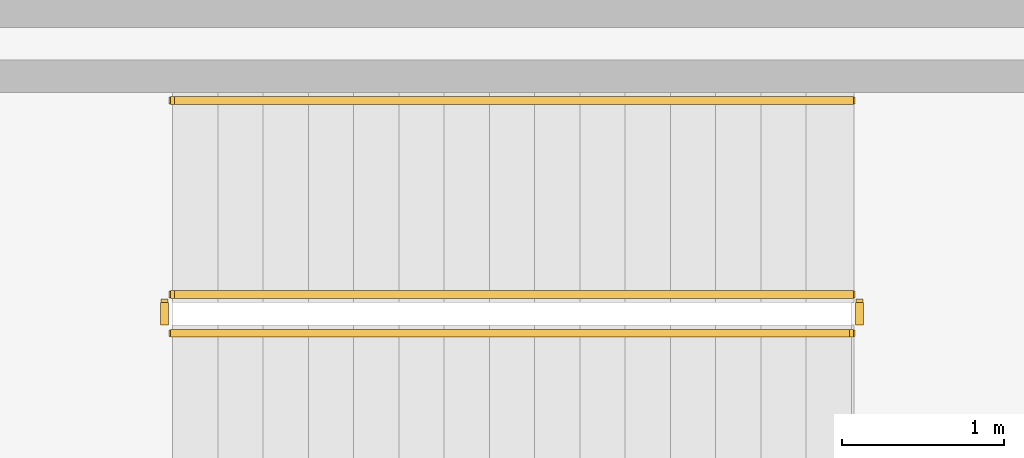
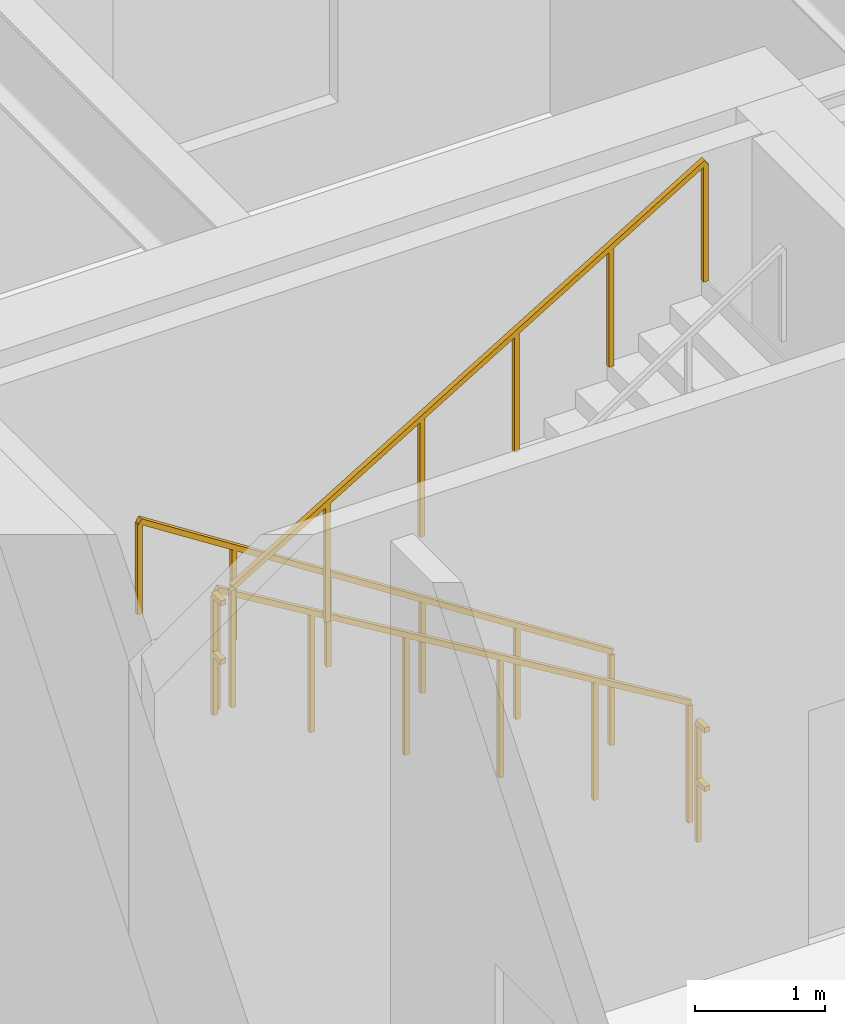
# One storey, part 19 of 20: 5 railings.
"""IFC4 building model written with IfcOpenShell, lengths in metres."""

from ifc_helpers import new_model, si_unit, derived_unit, direction, frame, origin, origin_2d, place, context, subcontext, project, spatial, rectangle, extrude, material, type_object, element, save


model = new_model("IFC4")

# Units and contexts
model_context = context("Model", 3, precision=1e-05, world=origin(), true_north=direction((0.0, 1.0)))
body_context = subcontext(model_context, "Body", "Model", "MODEL_VIEW")
ifc_project = project(units=[si_unit("LENGTHUNIT", "METRE"), si_unit("AREAUNIT", "SQUARE_METRE"), si_unit("VOLUMEUNIT", "CUBIC_METRE"), si_unit("PLANEANGLEUNIT", "RADIAN"), si_unit("MASSUNIT", "GRAM", prefix="KILO"), si_unit("THERMODYNAMICTEMPERATUREUNIT", "KELVIN"), si_unit("POWERUNIT", "WATT"), derived_unit("THERMALTRANSMITTANCEUNIT", [(si_unit("POWERUNIT", "WATT"), 1), (si_unit("AREAUNIT", "SQUARE_METRE"), -1), (si_unit("THERMODYNAMICTEMPERATUREUNIT", "KELVIN"), -1)])], contexts=[model_context])

# Site, building, storey
site_placement = place(None, origin())
site = spatial("IfcSite", under=ifc_project, at=site_placement, CompositionType="ELEMENT")
building_placement = place(site_placement, origin())
building = spatial("IfcBuilding", under=site, at=building_placement, Name="Zahravan Archway Hotel and Residences", CompositionType="ELEMENT")
storey_placement = place(building_placement, frame((0.0, 0.0, 16.199951171875)))
storey = spatial("IfcBuildingStorey", under=building, at=storey_placement, Name="L03", CompositionType="ELEMENT", Elevation=16.199951171875)

# Railings
ifc_material_1 = material(Name="Painted Tubular Steel", Category="steel")
railing_type_1 = type_object("IfcRailingType", Name="RL-STG-1150", PredefinedType="GUARDRAIL", material=ifc_material_1)
railing_1_placement = place(storey_placement, frame((9.72998046875, 37.64990234375, 0.168701171875)))
element("IfcRailing", 1, at=railing_1_placement, inside=storey, type_object=railing_type_1, Name="L03 ST-B2 stair guard 1", PredefinedType="GUARDRAIL", context=body_context, shape_type="SweptSolid", body=[
    extrude(rectangle(XDim=0.048095703125, YDim=0.048095703125, at=origin_2d()), frame((0.0, 0.0, 1.1259765625), z_axis=(-0.856476492594, 0.0, 0.516186030065), x_axis=(0.0, -1.0, 0.0)), (0.0, 0.0, 1.0), 4.90380859375),
    extrude(rectangle(XDim=0.0419921875, YDim=0.0419921875, at=origin_2d()), origin(), (0.0, 0.0, 1.0), 1.101806640625),
    extrude(rectangle(XDim=0.0419921875, YDim=0.0419921875, at=origin_2d()), frame((-0.840087890625, 0.0, 0.50634765625)), (0.0, 0.0, 1.0), 1.101806640625),
    extrude(rectangle(XDim=0.0419921875, YDim=0.0419921875, at=origin_2d()), frame((-1.679931640625, 0.0, 1.012451171875)), (0.0, 0.0, 1.0), 1.101806640625),
    extrude(rectangle(XDim=0.0419921875, YDim=0.0419921875, at=origin_2d()), frame((-2.52001953125, 0.0, 1.518798828125)), (0.0, 0.0, 1.0), 1.101806640625),
    extrude(rectangle(XDim=0.0419921875, YDim=0.0419921875, at=origin_2d()), frame((-3.35986328125, 0.0, 2.02490234375)), (0.0, 0.0, 1.0), 1.101806640625),
    extrude(rectangle(XDim=0.0419921875, YDim=0.0419921875, at=origin_2d()), frame((-4.199951171875, 0.0, 2.53125)), (0.0, 0.0, 1.0), 1.101806640625),
])
railing_2_placement = place(storey_placement, frame((5.47998046875, 37.60009765625, 2.699951171875)))
element("IfcRailing", 2, at=railing_2_placement, inside=storey, type_object=railing_type_1, Name="L03 ST-B2 stair guard 2", PredefinedType="GUARDRAIL", context=body_context, shape_type="SweptSolid", body=[
    extrude(rectangle(XDim=0.048095703125, YDim=0.048095703125, at=origin_2d()), frame((0.0, 0.0, 1.1259765625), z_axis=(0.0, -1.0, 0.0), x_axis=(1.0, 0.0, 0.0)), (0.0, 0.0, 1.0), 0.14013671875),
    extrude(rectangle(XDim=0.048095703125, YDim=0.048095703125, at=origin_2d()), frame((0.0, 0.0, 0.574951171875), z_axis=(0.0, -1.0, 0.0), x_axis=(1.0, 0.0, 0.0)), (0.0, 0.0, 1.0), 0.14013671875),
    extrude(rectangle(XDim=0.0419921875, YDim=0.0419921875, at=origin_2d()), origin(), (0.0, 0.0, 1.0), 1.101806640625),
])
railing_3_placement = place(storey_placement, frame((5.530029296875, 37.409912109375, 2.868896484375)))
element("IfcRailing", 3, at=railing_3_placement, inside=storey, type_object=railing_type_1, Name="L03 ST-B2 stair guard 3", PredefinedType="GUARDRAIL", context=body_context, shape_type="SweptSolid", body=[
    extrude(rectangle(XDim=0.048095703125, YDim=0.048095703125, at=origin_2d()), frame((0.0, 0.0, 1.1259765625), z_axis=(0.856476492594, 0.0, 0.516186030065), x_axis=(0.0, 1.0, 0.0)), (0.0, 0.0, 1.0), 4.90380859375),
    extrude(rectangle(XDim=0.0419921875, YDim=0.0419921875, at=origin_2d()), origin(), (0.0, 0.0, 1.0), 1.101806640625),
    extrude(rectangle(XDim=0.0419921875, YDim=0.0419921875, at=origin_2d()), frame((0.840087890625, 0.0, 0.50634765625)), (0.0, 0.0, 1.0), 1.101806640625),
    extrude(rectangle(XDim=0.0419921875, YDim=0.0419921875, at=origin_2d()), frame((1.679931640625, 0.0, 1.012451171875)), (0.0, 0.0, 1.0), 1.101806640625),
    extrude(rectangle(XDim=0.0419921875, YDim=0.0419921875, at=origin_2d()), frame((2.52001953125, 0.0, 1.518798828125)), (0.0, 0.0, 1.0), 1.101806640625),
    extrude(rectangle(XDim=0.0419921875, YDim=0.0419921875, at=origin_2d()), frame((3.35986328125, 0.0, 2.02490234375)), (0.0, 0.0, 1.0), 1.101806640625),
    extrude(rectangle(XDim=0.0419921875, YDim=0.0419921875, at=origin_2d()), frame((4.199951171875, 0.0, 2.53125)), (0.0, 0.0, 1.0), 1.101806640625),
])
railing_4_placement = place(storey_placement, frame((9.780029296875, 37.60009765625, 0.0)))
element("IfcRailing", 4, at=railing_4_placement, inside=storey, type_object=railing_type_1, Name="L03 ST-B2 stair guard 4", PredefinedType="GUARDRAIL", context=body_context, shape_type="SweptSolid", body=[
    extrude(rectangle(XDim=0.048095703125, YDim=0.048095703125, at=origin_2d()), frame((0.0, 0.0, 1.1259765625), z_axis=(0.0, -1.0, 0.0), x_axis=(1.0, 0.0, 0.0)), (0.0, 0.0, 1.0), 0.14013671875),
    extrude(rectangle(XDim=0.048095703125, YDim=0.048095703125, at=origin_2d()), frame((0.0, 0.0, 0.574951171875), z_axis=(0.0, -1.0, 0.0), x_axis=(1.0, 0.0, 0.0)), (0.0, 0.0, 1.0), 0.14013671875),
    extrude(rectangle(XDim=0.0419921875, YDim=0.0419921875, at=origin_2d()), origin(), (0.0, 0.0, 1.0), 1.101806640625),
])
ifc_material_2 = material(Name="Brushed Stainless Steel", Category="steel")
railing_type_2 = type_object("IfcRailingType", Name="RL-STH-900", PredefinedType="HANDRAIL", material=ifc_material_2)
railing_5_placement = place(storey_placement, frame((9.72998046875, 38.85009765625, 0.168701171875)))
element("IfcRailing", 5, at=railing_5_placement, inside=storey, type_object=railing_type_2, Name="L03 ST-B2 stair handrail 1", PredefinedType="HANDRAIL", context=body_context, shape_type="SweptSolid", body=[
    extrude(rectangle(XDim=0.048095703125, YDim=0.048095703125, at=origin_2d()), frame((0.0, 0.0, 0.8759765625), z_axis=(-0.841157821942, 0.0, 0.54078971753), x_axis=(0.0, -1.0, 0.0)), (0.0, 0.0, 1.0), 4.9931640625),
    extrude(rectangle(XDim=0.0419921875, YDim=0.0419921875, at=origin_2d()), origin(), (0.0, 0.0, 1.0), 0.851806640625),
    extrude(rectangle(XDim=0.0419921875, YDim=0.0419921875, at=origin_2d()), frame((-0.840087890625, 0.0, 0.5400390625)), (0.0, 0.0, 1.0), 0.851806640625),
    extrude(rectangle(XDim=0.0419921875, YDim=0.0419921875, at=origin_2d()), frame((-1.679931640625, 0.0, 1.080078125)), (0.0, 0.0, 1.0), 0.851806640625),
    extrude(rectangle(XDim=0.0419921875, YDim=0.0419921875, at=origin_2d()), frame((-2.52001953125, 0.0, 1.6201171875)), (0.0, 0.0, 1.0), 0.851806640625),
    extrude(rectangle(XDim=0.0419921875, YDim=0.0419921875, at=origin_2d()), frame((-3.35986328125, 0.0, 2.16015625)), (0.0, 0.0, 1.0), 0.851806640625),
    extrude(rectangle(XDim=0.0419921875, YDim=0.0419921875, at=origin_2d()), frame((-4.199951171875, 0.0, 2.7001953125)), (0.0, 0.0, 1.0), 0.851806640625),
])

save(model, "model.ifc")
